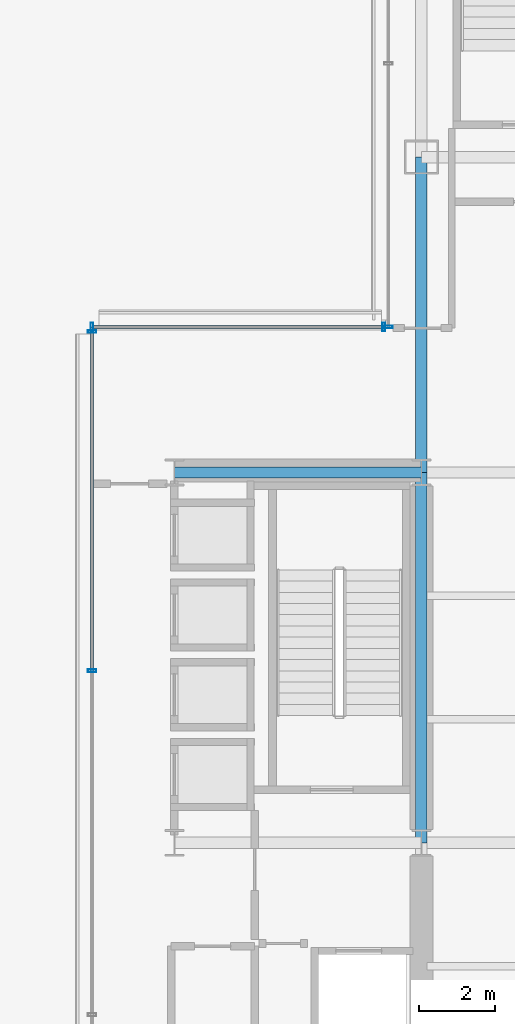
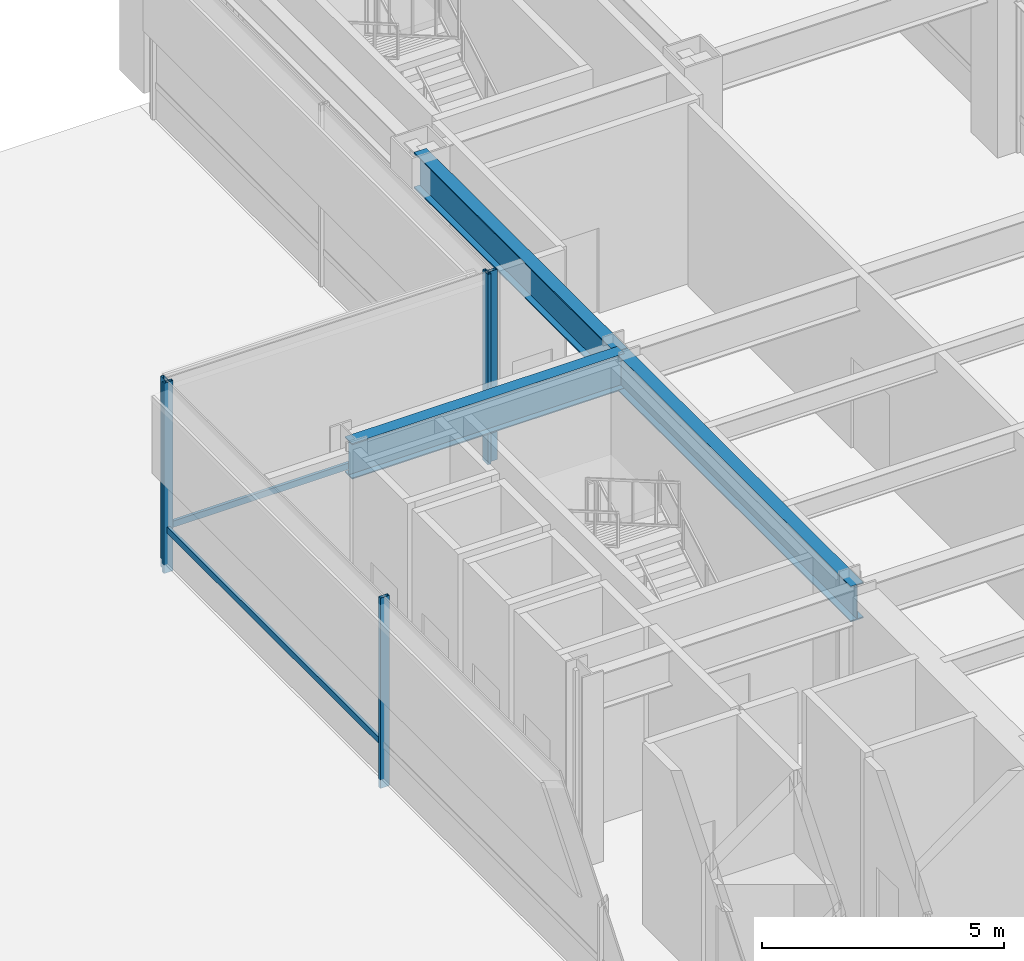
# One storey, part 17 of 37: 7 members, 3 beams, 3 elements without a shape of their own.
"""IFC4 building model written with IfcOpenShell, lengths in metres."""

from ifc_helpers import new_model, si_unit, direction, frame, origin, origin_2d, place, context, subcontext, project, spatial, hollow_rectangle, i_section, extrude, material, layer, layer_set, material_profile, profile_set, type_object, element, aggregate, save


model = new_model("IFC4")

# Units and contexts
model_context = context("Model", 3, precision=1e-05, world=origin(), true_north=direction((0.0, 1.0)))
body_context = subcontext(model_context, "Body", "Model", "MODEL_VIEW")
ifc_project = project(units=[si_unit("LENGTHUNIT", "METRE"), si_unit("AREAUNIT", "SQUARE_METRE"), si_unit("VOLUMEUNIT", "CUBIC_METRE"), si_unit("PLANEANGLEUNIT", "RADIAN"), si_unit("MASSUNIT", "GRAM", prefix="KILO")], contexts=[model_context])

# Site, building, storey
site_placement = place(None, origin())
site = spatial("IfcSite", under=ifc_project, at=site_placement, CompositionType="ELEMENT")
building_placement = place(site_placement, origin())
building = spatial("IfcBuilding", under=site, at=building_placement, Name="Brelmoor Portico Tower", CompositionType="ELEMENT")
storey_placement = place(building_placement, origin())
storey = spatial("IfcBuildingStorey", under=building, at=storey_placement, Name="L00", CompositionType="ELEMENT", Elevation=0.0)

# Beams
ifc_material_1 = material(Name="Steel Q355B", Category="steel")
ifc_material_profile_1 = material_profile(ifc_material_1, i_section(OverallWidth=0.300048828125, OverallDepth=0.89990234375, WebThickness=0.01611328125, FlangeThickness=0.028076171875, at=origin_2d()), Name="HN 900x300x16x28")
ifc_profile_set_1 = profile_set([ifc_material_profile_1], Name="Steel Q355B")
beam_type = type_object("IfcBeamType", Name="BM-PG-900", PredefinedType="BEAM", material=ifc_profile_set_1)
beam_1_placement = place(storey_placement, frame((14.550048828125, 0.0, 4.1298828125), z_axis=(0.0, 1.0, 0.0), x_axis=(-1.0, 0.0, 0.0)))
element("IfcBeam", 1, at=beam_1_placement, inside=storey, type_object=beam_type, Name="L00 Primary Floor Girder PG-15", PredefinedType="BEAM", context=body_context, shape_type="SweptSolid", body=[
    extrude(i_section(OverallWidth=0.300048828125, OverallDepth=0.89990234375, WebThickness=0.01611328125, FlangeThickness=0.028076171875, at=origin_2d()), origin(), (0.0, 0.0, 1.0), 9.75),
])
beam_2_placement = place(storey_placement, frame((14.550048828125, 9.75, 4.1298828125), z_axis=(0.0, 1.0, 0.0), x_axis=(-1.0, 0.0, 0.0)))
element("IfcBeam", 2, at=beam_2_placement, inside=storey, type_object=beam_type, Name="L00 Primary Floor Girder PG-16", PredefinedType="BEAM", context=body_context, shape_type="SweptSolid", body=[
    extrude(i_section(OverallWidth=0.300048828125, OverallDepth=0.89990234375, WebThickness=0.01611328125, FlangeThickness=0.028076171875, at=origin_2d()), origin(), (0.0, 0.0, 1.0), 8.300048828125),
])
beam_3_placement = place(storey_placement, frame((8.050048828125, 9.75, 4.1298828125), z_axis=(1.0, 0.0, 0.0), x_axis=(0.0, 1.0, 0.0)))
element("IfcBeam", 3, at=beam_3_placement, inside=storey, type_object=beam_type, Name="L00 Primary Floor Girder PG-33", PredefinedType="BEAM", context=body_context, shape_type="SweptSolid", body=[
    extrude(i_section(OverallWidth=0.300048828125, OverallDepth=0.89990234375, WebThickness=0.01611328125, FlangeThickness=0.028076171875, at=origin_2d()), origin(), (0.0, 0.0, 1.0), 6.5),
])

# Curtain wall, member
ifc_material_2 = material(Name="Anodised Aluminium Alloy 6063-T6", Category="aluminium")
ifc_layer = layer(ifc_material_2, 0.179931640625)
ifc_layer_set = layer_set([ifc_layer], Name="Anodised Aluminium Alloy 6063-T6")
curtain_wall_type = type_object("IfcCurtainWallType", Name="CW-PODIUM-ARCH", PredefinedType="NOTDEFINED", material=ifc_layer_set)
curtain_wall_1_placement = place(storey_placement, origin())
curtain_wall_1 = element("IfcCurtainWall", 4, at=curtain_wall_1_placement, inside=storey, type_object=curtain_wall_type, Name="L00 Curtain Wall CW-L00-10", PredefinedType="NOTDEFINED")
ifc_material_profile_2 = material_profile(ifc_material_2, hollow_rectangle(XDim=0.074951171875, YDim=0.219970703125, WallThickness=0.0048828125, at=origin_2d()), Name="ALU MULLION 75x220")
ifc_profile_set_2 = profile_set([ifc_material_profile_2], Name="Anodised Aluminium Alloy 6063-T6")
member_type_1 = type_object("IfcMemberType", Name="MB-CW-MULL-220", PredefinedType="MULLION", material=ifc_profile_set_2)
member_1_placement = place(storey_placement, frame((13.679931640625, 13.580078125, -0.219970703125), z_axis=(0.0, 0.0, 1.0), x_axis=(0.0, 1.0, 0.0)))
member_1 = element("IfcMember", 5, at=member_1_placement, type_object=member_type_1, Name="CW-L00-10 Mullion 00", PredefinedType="MULLION", context=body_context, shape_type="SweptSolid", body=[
    extrude(hollow_rectangle(XDim=0.074951171875, YDim=0.219970703125, WallThickness=0.0048828125, at=origin_2d()), origin(), (0.0, 0.0, 1.0), 4.800048828125),
])
aggregate(curtain_wall_1, [member_1])

# Curtain wall, members
curtain_wall_2_placement = place(storey_placement, origin())
curtain_wall_2 = element("IfcCurtainWall", 6, at=curtain_wall_2_placement, inside=storey, type_object=curtain_wall_type, Name="L00 Curtain Wall CW-L00-14", PredefinedType="NOTDEFINED")
member_2_placement = place(storey_placement, frame((5.8798828125, 13.580078125, -0.219970703125), z_axis=(0.0, 0.0, 1.0), x_axis=(1.0, 0.0, 0.0)))
member_2 = element("IfcMember", 7, at=member_2_placement, type_object=member_type_1, Name="CW-L00-14 Mullion 00", PredefinedType="MULLION", context=body_context, shape_type="SweptSolid", body=[
    extrude(hollow_rectangle(XDim=0.074951171875, YDim=0.219970703125, WallThickness=0.0048828125, at=origin_2d()), origin(), (0.0, 0.0, 1.0), 4.800048828125),
])
member_3_placement = place(storey_placement, frame((13.56005859375, 13.580078125, -0.219970703125), z_axis=(0.0, 0.0, 1.0), x_axis=(1.0, 0.0, 0.0)))
member_3 = element("IfcMember", 8, at=member_3_placement, type_object=member_type_1, Name="CW-L00-14 Mullion 01", PredefinedType="MULLION", context=body_context, shape_type="SweptSolid", body=[
    extrude(hollow_rectangle(XDim=0.074951171875, YDim=0.219970703125, WallThickness=0.0048828125, at=origin_2d()), origin(), (0.0, 0.0, 1.0), 4.800048828125),
])

curtain_wall_3_placement = place(storey_placement, origin())
curtain_wall_3 = element("IfcCurtainWall", 9, at=curtain_wall_3_placement, inside=storey, type_object=curtain_wall_type, Name="L00 Curtain Wall CW-L00-16", PredefinedType="NOTDEFINED")
member_4_placement = place(storey_placement, frame((5.8798828125, 4.526611328125, -0.219970703125), z_axis=(0.0, 0.0, 1.0), x_axis=(0.0, 1.0, 0.0)))
member_4 = element("IfcMember", 10, at=member_4_placement, type_object=member_type_1, Name="CW-L00-16 Mullion 02", PredefinedType="MULLION", context=body_context, shape_type="SweptSolid", body=[
    extrude(hollow_rectangle(XDim=0.074951171875, YDim=0.219970703125, WallThickness=0.0048828125, at=origin_2d()), origin(), (0.0, 0.0, 1.0), 4.800048828125),
])
member_5_placement = place(storey_placement, frame((5.8798828125, 13.4599609375, -0.219970703125), z_axis=(0.0, 0.0, 1.0), x_axis=(0.0, 1.0, 0.0)))
member_5 = element("IfcMember", 11, at=member_5_placement, type_object=member_type_1, Name="CW-L00-16 Mullion 03", PredefinedType="MULLION", context=body_context, shape_type="SweptSolid", body=[
    extrude(hollow_rectangle(XDim=0.074951171875, YDim=0.219970703125, WallThickness=0.0048828125, at=origin_2d()), origin(), (0.0, 0.0, 1.0), 4.800048828125),
])

# Member
ifc_material_profile_3 = material_profile(ifc_material_2, hollow_rectangle(XDim=0.070068359375, YDim=0.159912109375, WallThickness=0.00390625, at=origin_2d()), Name="ALU TRANSOM 70x160")
ifc_profile_set_3 = profile_set([ifc_material_profile_3], Name="Anodised Aluminium Alloy 6063-T6")
member_type_2 = type_object("IfcMemberType", Name="MB-CW-TRAN-160", PredefinedType="USERDEFINED", material=ifc_profile_set_3)
member_6_placement = place(storey_placement, frame((5.8798828125, 13.580078125, 0.85009765625), z_axis=(1.0, 0.0, 0.0), x_axis=(0.0, 1.0, 0.0)))
member_6 = element("IfcMember", 12, at=member_6_placement, type_object=member_type_2, Name="CW-L00-14 Transom 1-00", ObjectType="TRANSOM", PredefinedType="USERDEFINED", context=body_context, shape_type="SweptSolid", body=[
    extrude(hollow_rectangle(XDim=0.070068359375, YDim=0.159912109375, WallThickness=0.00390625, at=origin_2d()), origin(), (0.0, 0.0, 1.0), 7.800048828125),
])

aggregate(curtain_wall_2, [member_2, member_3, member_6])

member_7_placement = place(storey_placement, frame((5.8798828125, 4.526611328125, 0.85009765625), z_axis=(0.0, 1.0, 0.0), x_axis=(-1.0, 0.0, 0.0)))
member_7 = element("IfcMember", 13, at=member_7_placement, type_object=member_type_2, Name="CW-L00-16 Transom 1-02", ObjectType="TRANSOM", PredefinedType="USERDEFINED", context=body_context, shape_type="SweptSolid", body=[
    extrude(hollow_rectangle(XDim=0.070068359375, YDim=0.159912109375, WallThickness=0.00390625, at=origin_2d()), origin(), (0.0, 0.0, 1.0), 9.053466796875),
])

aggregate(curtain_wall_3, [member_4, member_5, member_7])

save(model, "model.ifc")
